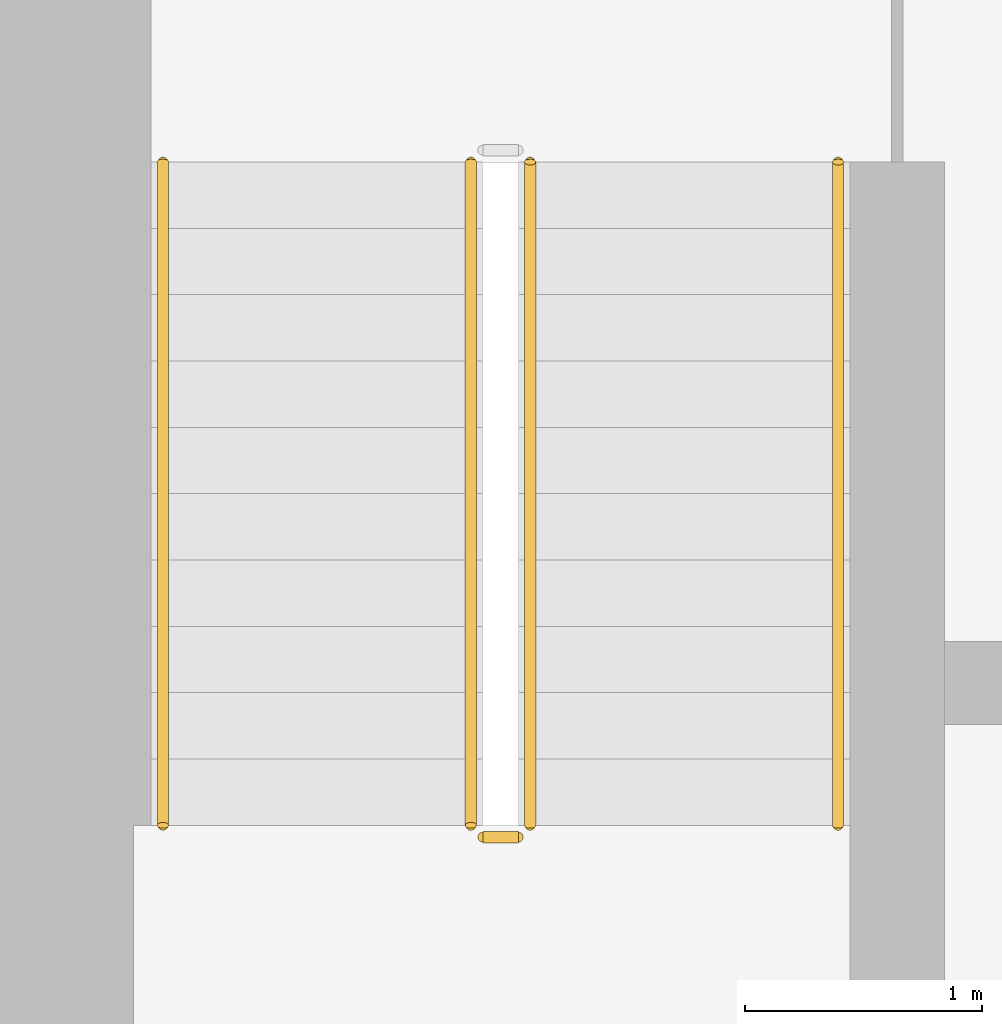
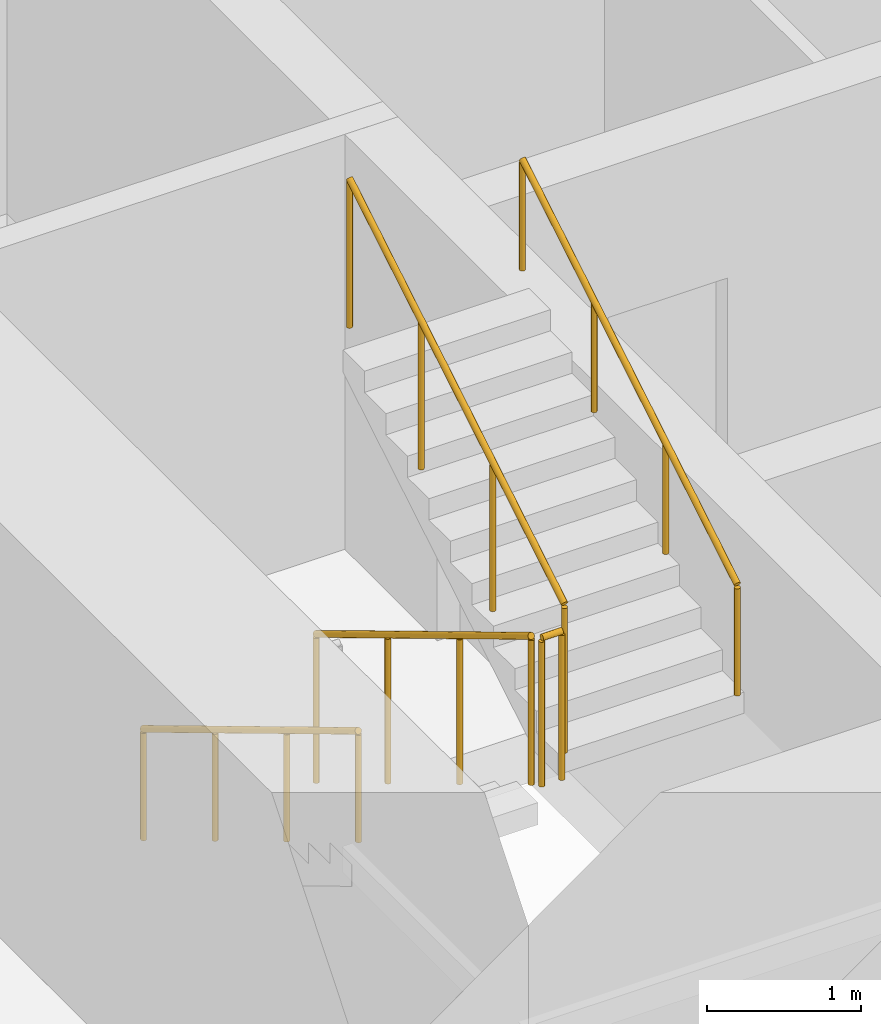
# One storey, part 22 of 27: 5 railings.
"""IFC4 building model written with IfcOpenShell, lengths in metres."""

from ifc_helpers import new_model, si_unit, direction, frame, origin, origin_2d, place, context, subcontext, project, spatial, circle, extrude, material, type_object, element, save


model = new_model("IFC4")

# Units and contexts
model_context = context("Model", 3, precision=1e-05, world=origin(), true_north=direction((0.0, 1.0)))
body_context = subcontext(model_context, "Body", "Model", "MODEL_VIEW")
ifc_project = project(units=[si_unit("LENGTHUNIT", "METRE"), si_unit("AREAUNIT", "SQUARE_METRE"), si_unit("VOLUMEUNIT", "CUBIC_METRE"), si_unit("PLANEANGLEUNIT", "RADIAN"), si_unit("MASSUNIT", "GRAM", prefix="KILO")], contexts=[model_context])

# Site, building, storey
site_placement = place(None, origin())
site = spatial("IfcSite", under=ifc_project, at=site_placement, CompositionType="ELEMENT")
building_placement = place(site_placement, origin())
building = spatial("IfcBuilding", under=site, at=building_placement, Name="Dongbaek Canopy Tower", CompositionType="ELEMENT")
storey_placement = place(building_placement, frame((0.0, 0.0, 55.10009765625)))
storey = spatial("IfcBuildingStorey", under=building, at=storey_placement, Name="L09", CompositionType="ELEMENT", Elevation=55.10009765625)

# Railings
ifc_material_1 = material(Name="Stainless steel tube and balusters", Category="steel")
railing_type_1 = type_object("IfcRailingType", Name="Stair guard 1200", PredefinedType="GUARDRAIL", material=ifc_material_1)
railing_1_placement = place(storey_placement, frame((-11.449951171875, -4.699951171875, 0.16796875)))
element("IfcRailing", 1, at=railing_1_placement, inside=storey, type_object=railing_type_1, Name="L09 ST-D stair guard 1", PredefinedType="GUARDRAIL", context=body_context, shape_type="SweptSolid", body=[
    extrude(circle(Radius=0.02392578125, at=origin_2d()), frame((0.0, 0.0, 1.17578125), z_axis=(0.0, -0.857242210791, 0.514913383045), x_axis=(1.0, 0.0, 0.0)), (0.0, 0.0, 1.0), 3.266357421875),
    extrude(circle(Radius=0.02099609375, at=origin_2d()), origin(), (0.0, 0.0, 1.0), 1.15185546875),
    extrude(circle(Radius=0.02099609375, at=origin_2d()), frame((0.0, -0.933349609375, 0.560546875)), (0.0, 0.0, 1.0), 1.15185546875),
    extrude(circle(Radius=0.02099609375, at=origin_2d()), frame((0.0, -1.86669921875, 1.121337890625)), (0.0, 0.0, 1.0), 1.15185546875),
    extrude(circle(Radius=0.02099609375, at=origin_2d()), frame((0.0, -2.800048828125, 1.681884765625)), (0.0, 0.0, 1.0), 1.15185546875),
])
railing_2_placement = place(storey_placement, frame((-11.39990234375, -7.550048828125, 1.849853515625)))
element("IfcRailing", 2, at=railing_2_placement, inside=storey, type_object=railing_type_1, Name="L09 ST-D stair guard 2", PredefinedType="GUARDRAIL", context=body_context, shape_type="SweptSolid", body=[
    extrude(circle(Radius=0.02392578125, at=origin_2d()), frame((0.0, 0.0, 1.17578125), z_axis=(1.0, 0.0, 0.0), x_axis=(0.0, 1.0, 0.0)), (0.0, 0.0, 1.0), 0.14990234375),
    extrude(circle(Radius=0.02099609375, at=origin_2d()), origin(), (0.0, 0.0, 1.0), 1.15185546875),
    extrude(circle(Radius=0.02099609375, at=origin_2d()), frame((0.14990234375, 0.0, 0.0)), (0.0, 0.0, 1.0), 1.15185546875),
])
railing_3_placement = place(storey_placement, frame((-11.199951171875, -7.5, 2.01806640625)))
element("IfcRailing", 3, at=railing_3_placement, inside=storey, type_object=railing_type_1, Name="L09 ST-D stair guard 3", PredefinedType="GUARDRAIL", context=body_context, shape_type="SweptSolid", body=[
    extrude(circle(Radius=0.02392578125, at=origin_2d()), frame((0.0, 0.0, 1.17578125), z_axis=(0.0, 0.857242210791, 0.514913383045), x_axis=(-1.0, 0.0, 0.0)), (0.0, 0.0, 1.0), 3.266357421875),
    extrude(circle(Radius=0.02099609375, at=origin_2d()), origin(), (0.0, 0.0, 1.0), 1.15185546875),
    extrude(circle(Radius=0.02099609375, at=origin_2d()), frame((0.0, 0.933349609375, 0.560546875)), (0.0, 0.0, 1.0), 1.15185546875),
    extrude(circle(Radius=0.02099609375, at=origin_2d()), frame((0.0, 1.86669921875, 1.121337890625)), (0.0, 0.0, 1.0), 1.15185546875),
    extrude(circle(Radius=0.02099609375, at=origin_2d()), frame((0.0, 2.800048828125, 1.681884765625)), (0.0, 0.0, 1.0), 1.15185546875),
])
ifc_material_2 = material(Name="Stainless steel tube", Category="steel")
railing_type_2 = type_object("IfcRailingType", Name="Stair handrail 900", PredefinedType="HANDRAIL", material=ifc_material_2)
railing_4_placement = place(storey_placement, frame((-12.75, -4.699951171875, 0.16796875)))
element("IfcRailing", 4, at=railing_4_placement, inside=storey, type_object=railing_type_2, Name="L09 ST-D stair handrail 1", PredefinedType="HANDRAIL", context=body_context, shape_type="SweptSolid", body=[
    extrude(circle(Radius=0.02392578125, at=origin_2d()), frame((0.0, 0.0, 0.8759765625), z_axis=(0.0, -0.857242210791, 0.514913383045), x_axis=(1.0, 0.0, 0.0)), (0.0, 0.0, 1.0), 3.266357421875),
    extrude(circle(Radius=0.02099609375, at=origin_2d()), origin(), (0.0, 0.0, 1.0), 0.851806640625),
    extrude(circle(Radius=0.02099609375, at=origin_2d()), frame((0.0, -0.933349609375, 0.560546875)), (0.0, 0.0, 1.0), 0.851806640625),
    extrude(circle(Radius=0.02099609375, at=origin_2d()), frame((0.0, -1.86669921875, 1.121337890625)), (0.0, 0.0, 1.0), 0.851806640625),
    extrude(circle(Radius=0.02099609375, at=origin_2d()), frame((0.0, -2.800048828125, 1.681884765625)), (0.0, 0.0, 1.0), 0.851806640625),
])
railing_5_placement = place(storey_placement, frame((-9.89990234375, -7.5, 2.01806640625)))
element("IfcRailing", 5, at=railing_5_placement, inside=storey, type_object=railing_type_2, Name="L09 ST-D stair handrail 2", PredefinedType="HANDRAIL", context=body_context, shape_type="SweptSolid", body=[
    extrude(circle(Radius=0.02392578125, at=origin_2d()), frame((0.0, 0.0, 0.8759765625), z_axis=(0.0, 0.857242210791, 0.514913383045), x_axis=(-1.0, 0.0, 0.0)), (0.0, 0.0, 1.0), 3.266357421875),
    extrude(circle(Radius=0.02099609375, at=origin_2d()), origin(), (0.0, 0.0, 1.0), 0.851806640625),
    extrude(circle(Radius=0.02099609375, at=origin_2d()), frame((0.0, 0.933349609375, 0.560546875)), (0.0, 0.0, 1.0), 0.851806640625),
    extrude(circle(Radius=0.02099609375, at=origin_2d()), frame((0.0, 1.86669921875, 1.121337890625)), (0.0, 0.0, 1.0), 0.851806640625),
    extrude(circle(Radius=0.02099609375, at=origin_2d()), frame((0.0, 2.800048828125, 1.681884765625)), (0.0, 0.0, 1.0), 0.851806640625),
])

save(model, "model.ifc")
